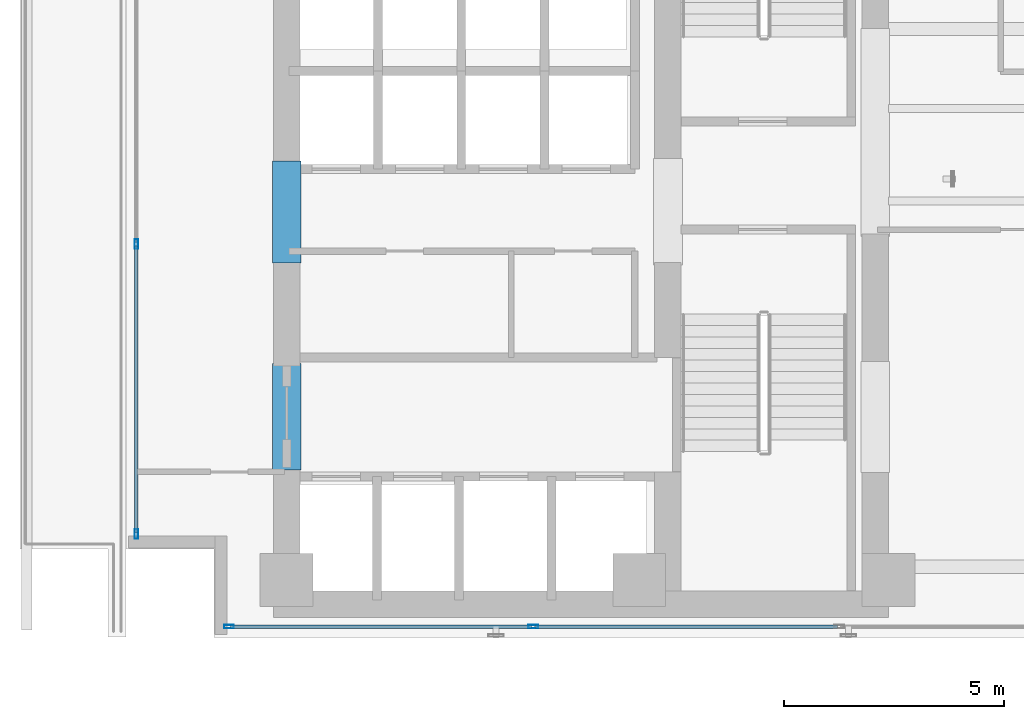
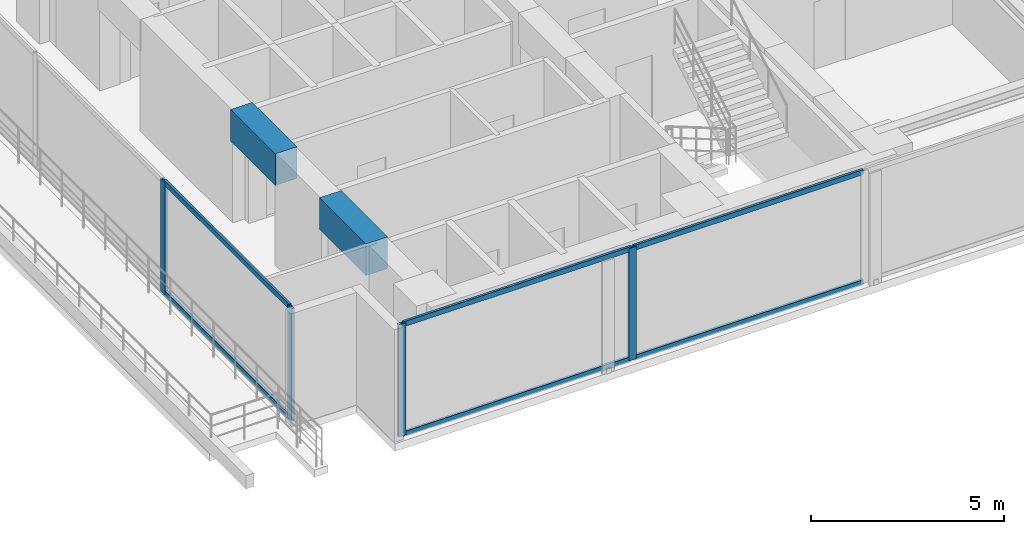
# One storey, part 2 of 28: 10 members, 2 beams, 2 elements without a shape of their own.
"""IFC4 building model written with IfcOpenShell, lengths in metres."""

from ifc_helpers import new_model, si_unit, direction, frame, origin, origin_with_axes, origin_2d, place, context, subcontext, project, spatial, rectangle, hollow_rectangle, extrude, source, transform, mapped, material, layer, layer_set, material_profile, profile_set, type_object, element, aggregate, save


model = new_model("IFC4")

# Units and contexts
model_context = context("Model", 3, precision=1e-05, world=origin(), true_north=direction((0.0, 1.0)))
body_context = subcontext(model_context, "Body", "Model", "MODEL_VIEW")
ifc_project = project(units=[si_unit("LENGTHUNIT", "METRE"), si_unit("AREAUNIT", "SQUARE_METRE"), si_unit("VOLUMEUNIT", "CUBIC_METRE"), si_unit("PLANEANGLEUNIT", "RADIAN"), si_unit("MASSUNIT", "GRAM", prefix="KILO")], contexts=[model_context])

# Site, building, storey
site_placement = place(None, origin())
site = spatial("IfcSite", under=ifc_project, at=site_placement, CompositionType="ELEMENT")
building_placement = place(site_placement, origin())
building = spatial("IfcBuilding", under=site, at=building_placement, Name="Kolvaren Waterfront Exchange", CompositionType="ELEMENT")
storey_placement = place(building_placement, frame((0.0, 0.0, 146.199951171875)))
storey = spatial("IfcBuildingStorey", under=building, at=storey_placement, Name="L37", CompositionType="ELEMENT", Elevation=146.199951171875)

# Beams
ifc_material_1 = material(Name="Concrete C60/75", Category="concrete")
ifc_material_profile_1 = material_profile(ifc_material_1, rectangle(XDim=0.64990234375, YDim=1.0, at=origin_2d()), Name="RC-CB-1000x650")
ifc_profile_set_1 = profile_set([ifc_material_profile_1], Name="Concrete C60/75")
beam_type = type_object("IfcBeamType", Name="STR-CB-1000", PredefinedType="SPANDREL", material=ifc_profile_set_1)
beam_1_placement = place(storey_placement, frame((7.449951171875, 7.389892578125, 3.06005859375), z_axis=(0.0, 1.0, 0.0), x_axis=(-1.0, 0.0, 0.0)))
element("IfcBeam", 1, at=beam_1_placement, inside=storey, type_object=beam_type, Name="L37 core coupling beam 3", PredefinedType="SPANDREL", context=body_context, shape_type="SweptSolid", body=[
    extrude(rectangle(XDim=0.64990234375, YDim=1.0, at=origin_2d()), origin(), (0.0, 0.0, 1.0), 2.420166015625),
])
beam_2_placement = place(storey_placement, frame((7.449951171875, 12.090087890625, 3.06005859375), z_axis=(0.0, 1.0, 0.0), x_axis=(-1.0, 0.0, 0.0)))
element("IfcBeam", 2, at=beam_2_placement, inside=storey, type_object=beam_type, Name="L37 core coupling beam 4", PredefinedType="SPANDREL", context=body_context, shape_type="SweptSolid", body=[
    extrude(rectangle(XDim=0.64990234375, YDim=1.0, at=origin_2d()), origin(), (0.0, 0.0, 1.0), 2.31982421875),
])

# Curtain wall, members
ifc_material_2 = material(Name="Anodised bronze aluminium 6063-T6", Category="aluminium")
ifc_layer_1 = layer(ifc_material_2, 0.219970703125, Name="Anodised bronze aluminium 6063-T6")
ifc_layer_set_1 = layer_set([ifc_layer_1], Name="Anodised bronze aluminium 6063-T6")
curtain_wall_type_1 = type_object("IfcCurtainWallType", Name="ARC-CW-SYS1", PredefinedType="USERDEFINED", material=ifc_layer_set_1)
curtain_wall_1_placement = place(storey_placement, origin())
curtain_wall_1 = element("IfcCurtainWall", 3, at=curtain_wall_1_placement, inside=storey, type_object=curtain_wall_type_1, Name="L37 stick curtain wall CW1 (CW-L37-S)", ObjectType="STICK CURTAIN WALL", PredefinedType="USERDEFINED")
ifc_material_3 = material(Name="Anodised aluminium 6063-T6", Category="aluminium")
ifc_material_profile_2 = material_profile(ifc_material_3, hollow_rectangle(XDim=0.080078125, YDim=0.219970703125, WallThickness=0.0048828125, at=origin_2d()), Name="ALU-MUL-220x80x5")
ifc_profile_set_2 = profile_set([ifc_material_profile_2], Name="Anodised aluminium 6063-T6")
member_type_1 = type_object("IfcMemberType", Name="ARC-CWM-220", PredefinedType="MULLION", material=ifc_profile_set_2)
shared_shape_1 = source(origin_with_axes(), body_context, "Body", "SweptSolid", [
    extrude(hollow_rectangle(XDim=0.080078125, YDim=0.219970703125, WallThickness=0.0048828125, at=origin_2d()), origin(), (0.0, 0.0, 1.0), 3.56005859375),
])
member_1_placement = place(storey_placement, frame((6.139892578125, 3.840087890625, 0.0), z_axis=(0.0, 0.0, 1.0), x_axis=(0.0, 1.0, 0.0)))
member_1 = element("IfcMember", 4, at=member_1_placement, type_object=member_type_1, Name="CW1 mullion 1", PredefinedType="MULLION", context=body_context, shape_type="MappedRepresentation", body=[
    mapped(shared_shape_1, transform((0.0, 0.0, 0.0), x_axis=(1.0, 0.0, 0.0), y_axis=(0.0, 1.0, 0.0), z_axis=(0.0, 0.0, 1.0), scale=1.0)),
])
member_2_placement = place(storey_placement, frame((13.04296875, 3.840087890625, 0.0), z_axis=(0.0, 0.0, 1.0), x_axis=(0.0, 1.0, 0.0)))
member_2 = element("IfcMember", 5, at=member_2_placement, type_object=member_type_1, Name="CW1 mullion 2", PredefinedType="MULLION", context=body_context, shape_type="MappedRepresentation", body=[
    mapped(shared_shape_1, transform((0.0, 0.0, 0.0), x_axis=(1.0, 0.0, 0.0), y_axis=(0.0, 1.0, 0.0), z_axis=(0.0, 0.0, 1.0), scale=1.0)),
])

ifc_layer_2 = layer(ifc_material_3, 0.219970703125, Name="Anodised aluminium 6063-T6")
ifc_layer_set_2 = layer_set([ifc_layer_2], Name="Anodised aluminium 6063-T6")
curtain_wall_type_2 = type_object("IfcCurtainWallType", Name="ARC-CW-SYS2", PredefinedType="USERDEFINED", material=ifc_layer_set_2)
curtain_wall_2_placement = place(storey_placement, origin())
curtain_wall_2 = element("IfcCurtainWall", 6, at=curtain_wall_2_placement, inside=storey, type_object=curtain_wall_type_2, Name="L37 stick curtain wall CW2 (CW-L37-W-1)", ObjectType="STICK CURTAIN WALL", PredefinedType="USERDEFINED")
member_3_placement = place(storey_placement, frame((4.0400390625, 5.93994140625, 0.0), z_axis=(0.0, 0.0, 1.0), x_axis=(-1.0, 0.0, 0.0)))
member_3 = element("IfcMember", 7, at=member_3_placement, type_object=member_type_1, Name="CW2 mullion 1", PredefinedType="MULLION", context=body_context, shape_type="MappedRepresentation", body=[
    mapped(shared_shape_1, transform((0.0, 0.0, 0.0), x_axis=(1.0, 0.0, 0.0), y_axis=(0.0, 1.0, 0.0), z_axis=(0.0, 0.0, 1.0), scale=1.0)),
])
member_4_placement = place(storey_placement, frame((4.0400390625, 12.52001953125, 0.0), z_axis=(0.0, 0.0, 1.0), x_axis=(-1.0, 0.0, 0.0)))
member_4 = element("IfcMember", 8, at=member_4_placement, type_object=member_type_1, Name="CW2 mullion 2", PredefinedType="MULLION", context=body_context, shape_type="MappedRepresentation", body=[
    mapped(shared_shape_1, transform((0.0, 0.0, 0.0), x_axis=(1.0, 0.0, 0.0), y_axis=(0.0, 1.0, 0.0), z_axis=(0.0, 0.0, 1.0), scale=1.0)),
])

# Member
ifc_material_profile_3 = material_profile(ifc_material_3, hollow_rectangle(XDim=0.074951171875, YDim=0.159912109375, WallThickness=0.00439453125, at=origin_2d()), Name="ALU-TRN-160x75x4.5")
ifc_profile_set_3 = profile_set([ifc_material_profile_3], Name="Anodised aluminium 6063-T6")
member_type_2 = type_object("IfcMemberType", Name="ARC-CWT-160", PredefinedType="USERDEFINED", material=ifc_profile_set_3)
shared_shape_2 = source(origin_with_axes(), body_context, "Body", "SweptSolid", [
    extrude(hollow_rectangle(XDim=0.074951171875, YDim=0.159912109375, WallThickness=0.00439453125, at=origin_2d()), origin(), (0.0, 0.0, 1.0), 6.822998046875),
])
member_5_placement = place(storey_placement, frame((6.179931640625, 3.840087890625, 0.03759765625), z_axis=(1.0, 0.0, 0.0), x_axis=(0.0, 1.0, 0.0)))
member_5 = element("IfcMember", 9, at=member_5_placement, type_object=member_type_2, Name="CW1 transom 1.1", ObjectType="TRANSOM", PredefinedType="USERDEFINED", context=body_context, shape_type="MappedRepresentation", body=[
    mapped(shared_shape_2, transform((0.0, 0.0, 0.0), x_axis=(1.0, 0.0, 0.0), y_axis=(0.0, 1.0, 0.0), z_axis=(0.0, 0.0, 1.0), scale=1.0)),
])

member_6_placement = place(storey_placement, frame((6.179931640625, 3.840087890625, 3.5224609375), z_axis=(1.0, 0.0, 0.0), x_axis=(0.0, 1.0, 0.0)))
member_6 = element("IfcMember", 10, at=member_6_placement, type_object=member_type_2, Name="CW1 transom 1.2", ObjectType="TRANSOM", PredefinedType="USERDEFINED", context=body_context, shape_type="MappedRepresentation", body=[
    mapped(shared_shape_2, transform((0.0, 0.0, 0.0), x_axis=(1.0, 0.0, 0.0), y_axis=(0.0, 1.0, 0.0), z_axis=(0.0, 0.0, 1.0), scale=1.0)),
])

shared_shape_3 = source(origin_with_axes(), body_context, "Body", "SweptSolid", [
    extrude(hollow_rectangle(XDim=0.074951171875, YDim=0.159912109375, WallThickness=0.00439453125, at=origin_2d()), origin(), (0.0, 0.0, 1.0), 6.863037109375),
])
member_7_placement = place(storey_placement, frame((13.082763671875, 3.840087890625, 0.03759765625), z_axis=(1.0, 0.0, 0.0), x_axis=(0.0, 1.0, 0.0)))
member_7 = element("IfcMember", 11, at=member_7_placement, type_object=member_type_2, Name="CW1 transom 2.1", ObjectType="TRANSOM", PredefinedType="USERDEFINED", context=body_context, shape_type="MappedRepresentation", body=[
    mapped(shared_shape_3, transform((0.0, 0.0, 0.0), x_axis=(1.0, 0.0, 0.0), y_axis=(0.0, 1.0, 0.0), z_axis=(0.0, 0.0, 1.0), scale=1.0)),
])

member_8_placement = place(storey_placement, frame((13.082763671875, 3.840087890625, 3.5224609375), z_axis=(1.0, 0.0, 0.0), x_axis=(0.0, 1.0, 0.0)))
member_8 = element("IfcMember", 12, at=member_8_placement, type_object=member_type_2, Name="CW1 transom 2.2", ObjectType="TRANSOM", PredefinedType="USERDEFINED", context=body_context, shape_type="MappedRepresentation", body=[
    mapped(shared_shape_3, transform((0.0, 0.0, 0.0), x_axis=(1.0, 0.0, 0.0), y_axis=(0.0, 1.0, 0.0), z_axis=(0.0, 0.0, 1.0), scale=1.0)),
])

aggregate(curtain_wall_1, [member_1, member_2, member_5, member_6, member_7, member_8])

shared_shape_4 = source(origin_with_axes(), body_context, "Body", "SweptSolid", [
    extrude(hollow_rectangle(XDim=0.074951171875, YDim=0.159912109375, WallThickness=0.00439453125, at=origin_2d()), origin(), (0.0, 0.0, 1.0), 6.5),
])
member_9_placement = place(storey_placement, frame((4.0400390625, 5.97998046875, 0.03759765625), z_axis=(0.0, 1.0, 0.0), x_axis=(-1.0, 0.0, 0.0)))
member_9 = element("IfcMember", 13, at=member_9_placement, type_object=member_type_2, Name="CW2 transom 1.1", ObjectType="TRANSOM", PredefinedType="USERDEFINED", context=body_context, shape_type="MappedRepresentation", body=[
    mapped(shared_shape_4, transform((0.0, 0.0, 0.0), x_axis=(1.0, 0.0, 0.0), y_axis=(0.0, 1.0, 0.0), z_axis=(0.0, 0.0, 1.0), scale=1.0)),
])

member_10_placement = place(storey_placement, frame((4.0400390625, 5.97998046875, 3.5224609375), z_axis=(0.0, 1.0, 0.0), x_axis=(-1.0, 0.0, 0.0)))
member_10 = element("IfcMember", 14, at=member_10_placement, type_object=member_type_2, Name="CW2 transom 1.2", ObjectType="TRANSOM", PredefinedType="USERDEFINED", context=body_context, shape_type="MappedRepresentation", body=[
    mapped(shared_shape_4, transform((0.0, 0.0, 0.0), x_axis=(1.0, 0.0, 0.0), y_axis=(0.0, 1.0, 0.0), z_axis=(0.0, 0.0, 1.0), scale=1.0)),
])

aggregate(curtain_wall_2, [member_3, member_4, member_9, member_10])

save(model, "model.ifc")
